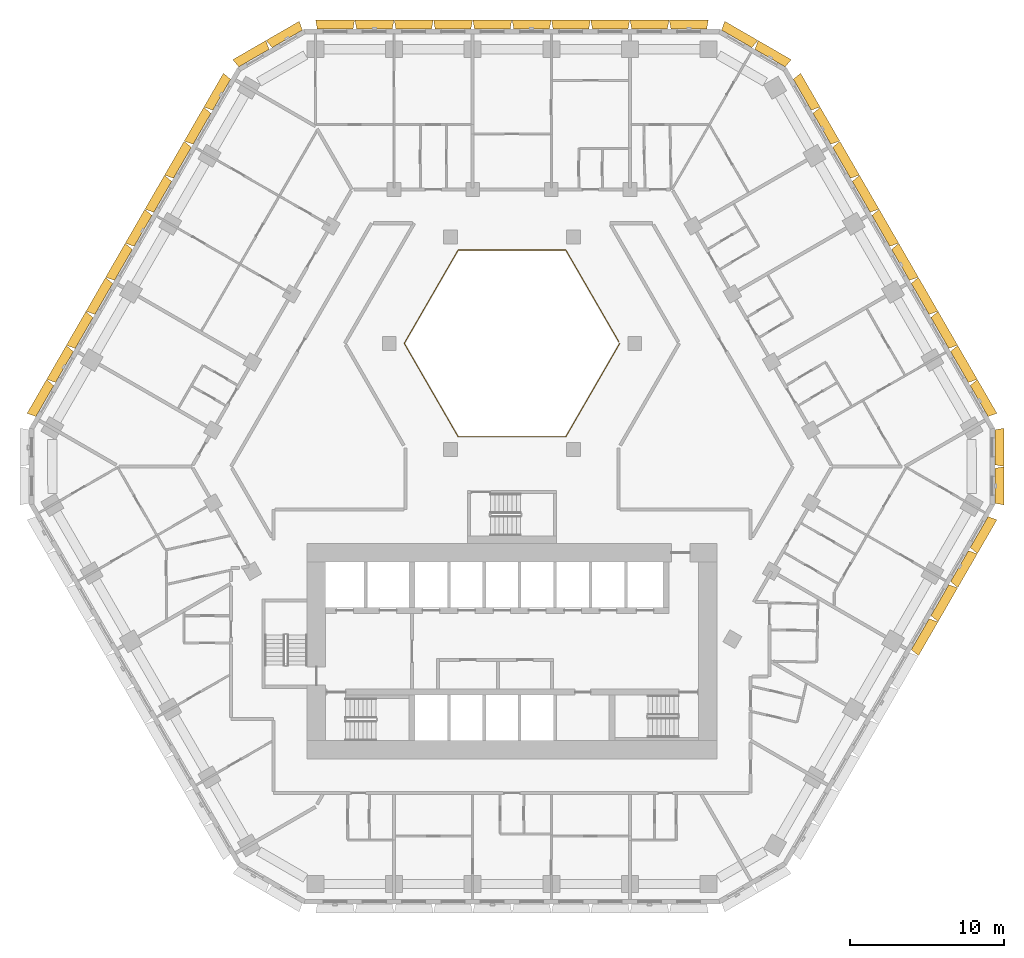
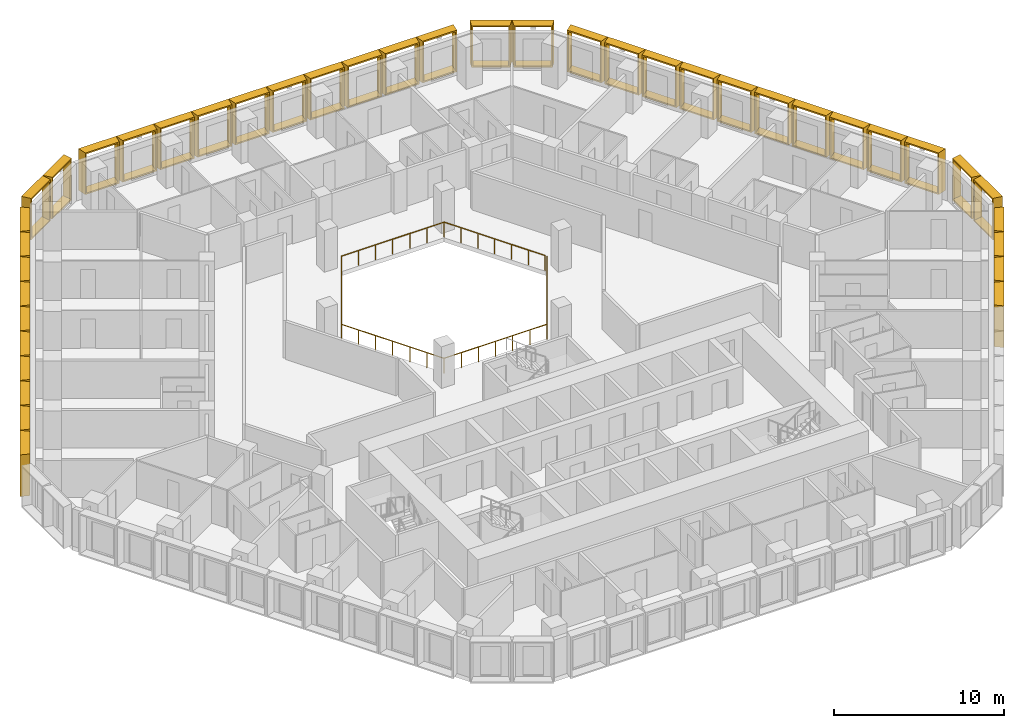
# One storey, part 21 of 21: 40 shading devices, 1 railing.
"""IFC4 building model written with IfcOpenShell, lengths in metres."""

import ifcopenshell
import ifcopenshell.guid

model = None  # the IFC model being written
_history = None  # IfcOwnerHistory: only IFC2X3 demands one
_inside = {}  # id of a spatial element -> (the spatial element, [elements in it])
_under = {}  # id of a project, library or spatial element -> (it, [spatial elements below it])
_declared = {}  # id of a project -> (the project, [libraries it declares])
_typed = {}  # id of a type object -> (the type object, [elements of that type])
_made_of = {}  # id of a material, layer set ... -> (it, [elements and type objects made of it])


def new_model(schema):
    """Start an empty IFC model of exactly this schema.

    Asked for "IFC4X3", IfcOpenShell would pick the latest addendum, in which some entities
    have other attributes; the version numbers below select the first issue.
    IFC2X3 requires an IfcOwnerHistory on every rooted entity: one is made here for all.
    """
    global model, _history
    if schema == "IFC4X3":
        model = ifcopenshell.file(schema_version=(4, 3, 0, 0))
    else:
        model = ifcopenshell.file(schema=schema)
    _inside.clear()
    _under.clear()
    _declared.clear()
    _typed.clear()
    _made_of.clear()
    _history = None
    if model.schema == "IFC2X3":
        org = make("IfcOrganization", Name="unknown")
        user = make(
            "IfcPersonAndOrganization",
            ThePerson=make("IfcPerson", FamilyName="unknown"),
            TheOrganization=org,
        )
        app = make(
            "IfcApplication",
            ApplicationDeveloper=org,
            Version="unknown",
            ApplicationFullName="unknown",
            ApplicationIdentifier="unknown",
        )
        _history = make(
            "IfcOwnerHistory",
            OwningUser=user,
            OwningApplication=app,
            ChangeAction="ADDED",
            CreationDate=0,
        )
    return model


def make(cls, **values):
    """One entity of the class cls with the attributes given. An attribute that is None is left unset."""
    return model.create_entity(
        cls, **{name: value for name, value in values.items() if value is not None}
    )


def entity(cls, *values):
    """Any entity or typed value of the class cls, its attributes in the order of the schema. None: left unset."""
    e = model.create_entity(cls)
    for i, value in enumerate(values):
        if value is not None:
            e[i] = value
    return e


def rooted(cls, **values):
    """An entity with a GlobalId (a new one), such as an element, a storey or a relation."""
    return make(cls, GlobalId=ifcopenshell.guid.new(), OwnerHistory=_history, **values)


def si_unit(unit_type, name, prefix=None):
    """IfcSIUnit, for example si_unit("LENGTHUNIT", "METRE", prefix="MILLI")."""
    return make("IfcSIUnit", UnitType=unit_type, Prefix=prefix, Name=name)


def assignment(units):
    """IfcUnitAssignment: the units of a project."""
    return None if units is None else make("IfcUnitAssignment", Units=units)


def point(xyz):
    """IfcCartesianPoint."""
    return None if xyz is None else make("IfcCartesianPoint", Coordinates=xyz)


def direction(xyz):
    """IfcDirection."""
    return None if xyz is None else make("IfcDirection", DirectionRatios=xyz)


def frame(location, z_axis=None, x_axis=None):
    """IfcAxis2Placement3D, a coordinate frame: its origin and axes. An axis left out is left unset."""
    return make(
        "IfcAxis2Placement3D",
        Location=point(location),
        Axis=direction(z_axis),
        RefDirection=direction(x_axis),
    )


def frame_2d(location, x_axis=None):
    """IfcAxis2Placement2D, a coordinate frame in the plane: its origin and x axis."""
    return make(
        "IfcAxis2Placement2D", Location=point(location), RefDirection=direction(x_axis)
    )


def origin():
    """The frame at (0, 0, 0) with its axes left unset."""
    return frame((0.0, 0.0, 0.0))


def origin_2d():
    """The frame at (0, 0) in the plane with its x axis left unset."""
    return frame_2d((0.0, 0.0))


def place(relative_to, where):
    """IfcLocalPlacement: puts the frame where relative to a parent placement (None: the world)."""
    return make(
        "IfcLocalPlacement", PlacementRelTo=relative_to, RelativePlacement=where
    )


def context(
    kind, dimensions, precision=None, world=None, true_north=None, identifier=None
):
    """IfcGeometricRepresentationContext, for example the 3D "Model" context."""
    return make(
        "IfcGeometricRepresentationContext",
        ContextIdentifier=identifier,
        ContextType=kind,
        CoordinateSpaceDimension=dimensions,
        Precision=precision,
        WorldCoordinateSystem=world,
        TrueNorth=true_north,
    )


def subcontext(parent, identifier, kind, view, scale=None):
    """IfcGeometricRepresentationSubContext, for example "Body" below "Model"."""
    return make(
        "IfcGeometricRepresentationSubContext",
        ContextIdentifier=identifier,
        ContextType=kind,
        ParentContext=parent,
        TargetScale=scale,
        TargetView=view,
    )


def project(units=None, contexts=None):
    """IfcProject with its units and contexts."""
    return rooted(
        "IfcProject",
        Name="project",
        RepresentationContexts=contexts,
        UnitsInContext=assignment(units),
    )


def spatial(cls, under=None, at=None, **own):
    """A site, building, storey or space (cls), placed at a placement, below another one or the project."""
    s = rooted(cls, ObjectPlacement=at, **own)
    if under is not None:
        _under.setdefault(under.id(), (under, []))[1].append(s)
    return s


def profile(cls, at=None, kind="AREA", **sizes):
    """A parametric profile (cls). Its sizes go by their IFC names, for example OverallWidth=200.0."""
    return make(cls, ProfileType=kind, Position=at, **sizes)


def rectangle(**sizes):
    """IfcRectangleProfileDef."""
    return profile("IfcRectangleProfileDef", **sizes)


def extrude(swept, where, along, depth):
    """IfcExtrudedAreaSolid: the profile swept, set in the frame where, extruded along a direction by depth."""
    return make(
        "IfcExtrudedAreaSolid",
        SweptArea=swept,
        Position=where,
        ExtrudedDirection=direction(along),
        Depth=depth,
    )


def shape(context_of_items, identifier, shape_type, items):
    """IfcShapeRepresentation: the items that make up one representation, for example the "Body"."""
    return make(
        "IfcShapeRepresentation",
        ContextOfItems=context_of_items,
        RepresentationIdentifier=identifier,
        RepresentationType=shape_type,
        Items=items,
    )


def source(mapping_origin, context_of_items, identifier, shape_type, items):
    """IfcRepresentationMap: a shape defined once, which mapped items show again and again."""
    return make(
        "IfcRepresentationMap",
        MappingOrigin=mapping_origin,
        MappedRepresentation=shape(context_of_items, identifier, shape_type, items),
    )


def transform(
    local_origin,
    x_axis=None,
    y_axis=None,
    z_axis=None,
    scale=None,
    scale2=None,
    scale3=None,
    uniform=True,
):
    """IfcCartesianTransformationOperator3D, or its non-uniform kind. x_axis, y_axis, z_axis: its Axis1, 2, 3."""
    if uniform:
        return make(
            "IfcCartesianTransformationOperator3D",
            Axis1=direction(x_axis),
            Axis2=direction(y_axis),
            LocalOrigin=point(local_origin),
            Scale=scale,
            Axis3=direction(z_axis),
        )
    return make(
        "IfcCartesianTransformationOperator3DnonUniform",
        Axis1=direction(x_axis),
        Axis2=direction(y_axis),
        LocalOrigin=point(local_origin),
        Scale=scale,
        Axis3=direction(z_axis),
        Scale2=scale2,
        Scale3=scale3,
    )


def mapped(mapping_source, mapping_target):
    """IfcMappedItem: shows the shape of a source again, moved by a transform."""
    return make(
        "IfcMappedItem", MappingSource=mapping_source, MappingTarget=mapping_target
    )


def material(Name=None, Category=None):
    """IfcMaterial."""
    return make("IfcMaterial", Name=Name, Category=Category)


def made_of(thing, what):
    """Note that an element or type object is made of a material, layer set ...; save() writes the relation."""
    if what is not None:
        _made_of.setdefault(what.id(), (what, []))[1].append(thing)
    return thing


def type_object(cls, material=None, **own):
    """A type object (cls), such as IfcWallType, which elements share."""
    return made_of(rooted(cls, **own), material)


def type_shapes(of_type, sources):
    """Give a type object the sources (RepresentationMaps) that its elements show as mapped items."""
    of_type.RepresentationMaps = sources


def element(
    cls,
    number,
    at=None,
    inside=None,
    cuts=None,
    type_object=None,
    material=None,
    context=None,
    identifier="Body",
    shape_type=None,
    held_by="IfcProductDefinitionShape",
    body=None,
    shapes=None,
    **own,
):
    """One element of the class cls, such as IfcWall. Its Tag is "e" and its number.

    at: its placement. inside: the storey or other place that contains it. cuts: it is an
    opening in that element (IfcRelVoidsElement). A single representation is given by context,
    identifier, shape_type and body (its items); several are given by shapes. held_by: the class
    of the entity that holds the representations. save() writes the other relations.
    """
    e = rooted(cls, Tag="e%d" % number, ObjectPlacement=at, **own)
    if body is not None:
        shapes = [shape(context, identifier, shape_type, body)]
    if shapes is not None:
        e.Representation = make(held_by, Representations=shapes)
    if inside is not None:
        _inside.setdefault(inside.id(), (inside, []))[1].append(e)
    if cuts is not None:
        rooted(
            "IfcRelVoidsElement", RelatingBuildingElement=cuts, RelatedOpeningElement=e
        )
    if type_object is not None:
        _typed.setdefault(type_object.id(), (type_object, []))[1].append(e)
    return made_of(e, material)


def aggregate(whole, parts):
    """IfcRelAggregates: a whole, such as a stair, and the parts it consists of."""
    return rooted("IfcRelAggregates", RelatingObject=whole, RelatedObjects=parts)


def save(model, path):
    """Write the relations noted so far, then the file.

    IfcRelAggregates (storeys below a building ...), IfcRelContainedInSpatialStructure (elements
    in a storey), IfcRelDefinesByType, IfcRelAssociatesMaterial and IfcRelDeclares: one each for
    every whole, place, type object, material and project.
    """
    for whole, parts in _under.values():
        aggregate(whole, parts)
    for where, things in _inside.values():
        rooted(
            "IfcRelContainedInSpatialStructure",
            RelatedElements=things,
            RelatingStructure=where,
        )
    for kind, things in _typed.values():
        rooted("IfcRelDefinesByType", RelatedObjects=things, RelatingType=kind)
    for what, things in _made_of.values():
        rooted("IfcRelAssociatesMaterial", RelatedObjects=things, RelatingMaterial=what)
    for by, libraries in _declared.values():
        rooted("IfcRelDeclares", RelatingContext=by, RelatedDefinitions=libraries)
    model.write(path)


model = new_model("IFC4")

# Units and contexts
model_context = context("Model", 3, precision=1e-05, world=origin(), true_north=direction((0.0, 1.0)))
body_context = subcontext(model_context, "Body", "Model", "MODEL_VIEW")
ifc_project = project(units=[si_unit("LENGTHUNIT", "METRE"), si_unit("AREAUNIT", "SQUARE_METRE"), si_unit("VOLUMEUNIT", "CUBIC_METRE"), si_unit("PLANEANGLEUNIT", "RADIAN"), si_unit("MASSUNIT", "GRAM", prefix="KILO")], contexts=[model_context])

# Site, building, storey
site_placement = place(None, origin())
site = spatial("IfcSite", under=ifc_project, at=site_placement, CompositionType="ELEMENT")
building_placement = place(site_placement, origin())
building = spatial("IfcBuilding", under=site, at=building_placement, Name="Beryl Residences", CompositionType="ELEMENT")
storey_placement = place(building_placement, frame((0.0, 0.0, 41.39990234375)))
storey = spatial("IfcBuildingStorey", under=building, at=storey_placement, Name="L12", CompositionType="ELEMENT", Elevation=41.39990234375)

# Railing
ifc_material_1 = material(Name="Stainless steel balustrade with glass infill", Category="steel")
railing_type = type_object("IfcRailingType", Name="EG1 edge guard 1100 mm", PredefinedType="GUARDRAIL", material=ifc_material_1)
railing_placement = place(storey_placement, frame((6.9970703125, 8.0, 0.0)))
element("IfcRailing", 1, at=railing_placement, inside=storey, type_object=railing_type, Name="L12 atrium guard", PredefinedType="GUARDRAIL", context=body_context, shape_type="SweptSolid", body=[
    extrude(rectangle(XDim=0.048095703125, YDim=0.048095703125, at=origin_2d()), frame((0.0, 0.0, 1.076171875), z_axis=(-0.499921796684, -0.866070549782, 0.0), x_axis=(0.866070549782, -0.499921796684, 0.0)), (0.0, 0.0, 1.0), 6.9970703125),
    extrude(rectangle(XDim=0.048095703125, YDim=0.048095703125, at=origin_2d()), frame((-3.498046875, -6.06005859375, 1.076171875), z_axis=(-1.0, 0.0, 0.0), x_axis=(0.0, -1.0, 0.0)), (0.0, 0.0, 1.0), 6.998046875),
    extrude(rectangle(XDim=0.048095703125, YDim=0.048095703125, at=origin_2d()), frame((-10.49609375, -6.06005859375, 1.076171875), z_axis=(-0.499921796684, 0.866070549782, 0.0), x_axis=(-0.866070549782, -0.499921796684, 0.0)), (0.0, 0.0, 1.0), 6.9970703125),
    extrude(rectangle(XDim=0.048095703125, YDim=0.048095703125, at=origin_2d()), frame((-13.994140625, 0.0, 1.076171875), z_axis=(0.499921796684, 0.866070549782, 0.0), x_axis=(-0.866070549782, 0.499921796684, 0.0)), (0.0, 0.0, 1.0), 6.9970703125),
    extrude(rectangle(XDim=0.048095703125, YDim=0.048095703125, at=origin_2d()), frame((-10.49609375, 6.06005859375, 1.076171875), z_axis=(1.0, 0.0, 0.0), x_axis=(0.0, 1.0, 0.0)), (0.0, 0.0, 1.0), 6.998046875),
    extrude(rectangle(XDim=0.048095703125, YDim=0.048095703125, at=origin_2d()), frame((-3.498046875, 6.06005859375, 1.076171875), z_axis=(0.499919131929, -0.866072087953, 0.0), x_axis=(0.866072087953, 0.499919131929, 0.0)), (0.0, 0.0, 1.0), 6.877197265625),
    extrude(rectangle(XDim=0.0419921875, YDim=0.0419921875, at=origin_2d()), origin(), (0.0, 0.0, 1.0), 1.052001953125),
    extrude(rectangle(XDim=0.0419921875, YDim=0.0419921875, at=origin_2d()), frame((-0.5830078125, -1.010009765625, 0.0)), (0.0, 0.0, 1.0), 1.052001953125),
    extrude(rectangle(XDim=0.0419921875, YDim=0.0419921875, at=origin_2d()), frame((-1.166015625, -2.02001953125, 0.0)), (0.0, 0.0, 1.0), 1.052001953125),
    extrude(rectangle(XDim=0.0419921875, YDim=0.0419921875, at=origin_2d()), frame((-1.7490234375, -3.030029296875, 0.0)), (0.0, 0.0, 1.0), 1.052001953125),
    extrude(rectangle(XDim=0.0419921875, YDim=0.0419921875, at=origin_2d()), frame((-2.33203125, -4.0400390625, 0.0)), (0.0, 0.0, 1.0), 1.052001953125),
    extrude(rectangle(XDim=0.0419921875, YDim=0.0419921875, at=origin_2d()), frame((-2.9150390625, -5.050048828125, 0.0)), (0.0, 0.0, 1.0), 1.052001953125),
    extrude(rectangle(XDim=0.0419921875, YDim=0.0419921875, at=origin_2d()), frame((-3.498046875, -6.06005859375, 0.0)), (0.0, 0.0, 1.0), 1.052001953125),
    extrude(rectangle(XDim=0.0419921875, YDim=0.0419921875, at=origin_2d()), frame((-4.664306640625, -6.06005859375, 0.0)), (0.0, 0.0, 1.0), 1.052001953125),
    extrude(rectangle(XDim=0.0419921875, YDim=0.0419921875, at=origin_2d()), frame((-5.830810546875, -6.06005859375, 0.0)), (0.0, 0.0, 1.0), 1.052001953125),
    extrude(rectangle(XDim=0.0419921875, YDim=0.0419921875, at=origin_2d()), frame((-6.9970703125, -6.06005859375, 0.0)), (0.0, 0.0, 1.0), 1.052001953125),
    extrude(rectangle(XDim=0.0419921875, YDim=0.0419921875, at=origin_2d()), frame((-8.163330078125, -6.06005859375, 0.0)), (0.0, 0.0, 1.0), 1.052001953125),
    extrude(rectangle(XDim=0.0419921875, YDim=0.0419921875, at=origin_2d()), frame((-9.329833984375, -6.06005859375, 0.0)), (0.0, 0.0, 1.0), 1.052001953125),
    extrude(rectangle(XDim=0.0419921875, YDim=0.0419921875, at=origin_2d()), frame((-10.49609375, -6.06005859375, 0.0)), (0.0, 0.0, 1.0), 1.052001953125),
    extrude(rectangle(XDim=0.0419921875, YDim=0.0419921875, at=origin_2d()), frame((-11.0791015625, -5.050048828125, 0.0)), (0.0, 0.0, 1.0), 1.052001953125),
    extrude(rectangle(XDim=0.0419921875, YDim=0.0419921875, at=origin_2d()), frame((-11.662109375, -4.0400390625, 0.0)), (0.0, 0.0, 1.0), 1.052001953125),
    extrude(rectangle(XDim=0.0419921875, YDim=0.0419921875, at=origin_2d()), frame((-12.2451171875, -3.030029296875, 0.0)), (0.0, 0.0, 1.0), 1.052001953125),
    extrude(rectangle(XDim=0.0419921875, YDim=0.0419921875, at=origin_2d()), frame((-12.828125, -2.02001953125, 0.0)), (0.0, 0.0, 1.0), 1.052001953125),
    extrude(rectangle(XDim=0.0419921875, YDim=0.0419921875, at=origin_2d()), frame((-13.4111328125, -1.010009765625, 0.0)), (0.0, 0.0, 1.0), 1.052001953125),
    extrude(rectangle(XDim=0.0419921875, YDim=0.0419921875, at=origin_2d()), frame((-13.994140625, 0.0, 0.0)), (0.0, 0.0, 1.0), 1.052001953125),
    extrude(rectangle(XDim=0.0419921875, YDim=0.0419921875, at=origin_2d()), frame((-13.4111328125, 1.010009765625, 0.0)), (0.0, 0.0, 1.0), 1.052001953125),
    extrude(rectangle(XDim=0.0419921875, YDim=0.0419921875, at=origin_2d()), frame((-12.828125, 2.02001953125, 0.0)), (0.0, 0.0, 1.0), 1.052001953125),
    extrude(rectangle(XDim=0.0419921875, YDim=0.0419921875, at=origin_2d()), frame((-12.2451171875, 3.030029296875, 0.0)), (0.0, 0.0, 1.0), 1.052001953125),
    extrude(rectangle(XDim=0.0419921875, YDim=0.0419921875, at=origin_2d()), frame((-11.662109375, 4.0400390625, 0.0)), (0.0, 0.0, 1.0), 1.052001953125),
    extrude(rectangle(XDim=0.0419921875, YDim=0.0419921875, at=origin_2d()), frame((-11.0791015625, 5.050048828125, 0.0)), (0.0, 0.0, 1.0), 1.052001953125),
    extrude(rectangle(XDim=0.0419921875, YDim=0.0419921875, at=origin_2d()), frame((-10.49609375, 6.06005859375, 0.0)), (0.0, 0.0, 1.0), 1.052001953125),
    extrude(rectangle(XDim=0.0419921875, YDim=0.0419921875, at=origin_2d()), frame((-9.329833984375, 6.06005859375, 0.0)), (0.0, 0.0, 1.0), 1.052001953125),
    extrude(rectangle(XDim=0.0419921875, YDim=0.0419921875, at=origin_2d()), frame((-8.163330078125, 6.06005859375, 0.0)), (0.0, 0.0, 1.0), 1.052001953125),
    extrude(rectangle(XDim=0.0419921875, YDim=0.0419921875, at=origin_2d()), frame((-6.9970703125, 6.06005859375, 0.0)), (0.0, 0.0, 1.0), 1.052001953125),
    extrude(rectangle(XDim=0.0419921875, YDim=0.0419921875, at=origin_2d()), frame((-5.830810546875, 6.06005859375, 0.0)), (0.0, 0.0, 1.0), 1.052001953125),
    extrude(rectangle(XDim=0.0419921875, YDim=0.0419921875, at=origin_2d()), frame((-4.664306640625, 6.06005859375, 0.0)), (0.0, 0.0, 1.0), 1.052001953125),
    extrude(rectangle(XDim=0.0419921875, YDim=0.0419921875, at=origin_2d()), frame((-3.498046875, 6.06005859375, 0.0)), (0.0, 0.0, 1.0), 1.052001953125),
    extrude(rectangle(XDim=0.0419921875, YDim=0.0419921875, at=origin_2d()), frame((-2.925048828125, 5.0673828125, 0.0)), (0.0, 0.0, 1.0), 1.052001953125),
    extrude(rectangle(XDim=0.0419921875, YDim=0.0419921875, at=origin_2d()), frame((-2.35205078125, 4.07470703125, 0.0)), (0.0, 0.0, 1.0), 1.052001953125),
    extrude(rectangle(XDim=0.0419921875, YDim=0.0419921875, at=origin_2d()), frame((-1.779052734375, 3.08203125, 0.0)), (0.0, 0.0, 1.0), 1.052001953125),
    extrude(rectangle(XDim=0.0419921875, YDim=0.0419921875, at=origin_2d()), frame((-1.2060546875, 2.08935546875, 0.0)), (0.0, 0.0, 1.0), 1.052001953125),
    extrude(rectangle(XDim=0.0419921875, YDim=0.0419921875, at=origin_2d()), frame((-0.633056640625, 1.0966796875, 0.0)), (0.0, 0.0, 1.0), 1.052001953125),
    extrude(rectangle(XDim=0.0419921875, YDim=0.0419921875, at=origin_2d()), frame((-0.06005859375, 0.10400390625, 0.0)), (0.0, 0.0, 1.0), 1.052001953125),
])

# Shading devices
ifc_material_2 = material(Name="Aluminium pale anodised", Category="aluminium")
shading_device_type_1 = type_object("IfcShadingDeviceType", Name="FR250-60A OUTER SKIN frame 600 mm deep, splay 10/10 deg, 2500 x 3000 mm cell", PredefinedType="USERDEFINED", material=ifc_material_2)
cartesian_point_1 = entity("IfcCartesianPoint", [-1.134033203125, 0.0])
cartesian_point_2 = entity("IfcCartesianPoint", [-1.052734375, 0.10009765625])
cartesian_point_3 = entity("IfcCartesianPoint", [-1.23974609375, 0.0])
cartesian_point_4 = entity("IfcCartesianPoint", [-1.158447265625, 0.10009765625])
shared_shape_1 = source(origin(), body_context, "Body", "SweptSolid", [
    entity("IfcExtrudedAreaSolidTapered", entity("IfcArbitraryProfileDefWithVoids", "AREA", None, entity("IfcPolyline", [cartesian_point_1, entity("IfcCartesianPoint", [1.134033203125, 0.0]), entity("IfcCartesianPoint", [1.134033203125, 3.0]), entity("IfcCartesianPoint", [-1.134033203125, 3.0]), cartesian_point_1]), [entity("IfcPolyline", [cartesian_point_2, entity("IfcCartesianPoint", [1.052734375, 0.10009765625]), entity("IfcCartesianPoint", [1.052734375, 2.89990234375]), entity("IfcCartesianPoint", [-1.052734375, 2.89990234375]), cartesian_point_2])]), entity("IfcAxis2Placement3D", entity("IfcCartesianPoint", [0.0, 0.0, 0.0]), entity("IfcDirection", [0.0, 1.0, 0.0]), entity("IfcDirection", [-1.0, 0.0, 0.0])), entity("IfcDirection", [0.0, 0.0, 1.0]), 0.60009765625, entity("IfcArbitraryProfileDefWithVoids", "AREA", None, entity("IfcPolyline", [cartesian_point_3, entity("IfcCartesianPoint", [1.23974609375, 0.0]), entity("IfcCartesianPoint", [1.23974609375, 3.0]), entity("IfcCartesianPoint", [-1.23974609375, 3.0]), cartesian_point_3]), [entity("IfcPolyline", [cartesian_point_4, entity("IfcCartesianPoint", [1.158447265625, 0.10009765625]), entity("IfcCartesianPoint", [1.158447265625, 2.89990234375]), entity("IfcCartesianPoint", [-1.158447265625, 2.89990234375]), cartesian_point_4])])),
])
type_shapes(shading_device_type_1, [shared_shape_1])
for number, where, z_axis, x_axis, name in (
    (2, (-14.593017578125, 27.77490234375, 0.0), (0.0, 0.0, 1.0), (0.866025403784, 0.5, 0.0), "FR250-60A frame L12 N-NW 1"),
    (3, (-16.758056640625, 26.52490234375, 0.0), (0.0, 0.0, 1.0), (0.866025403784, 0.5, 0.0), "FR250-60A frame L12 N-NW 2"),
    (4, (31.35009765625, -1.25, 0.0), (0.0, 0.0, 1.0), (0.0, -1.0, 0.0), "FR250-60A frame L12 SE-NE 1"),
    (5, (31.35009765625, 1.25, 0.0), (0.0, 0.0, 1.0), (0.0, -1.0, 0.0), "FR250-60A frame L12 SE-NE 2"),
    (6, (16.758056640625, 26.52490234375, 0.0), (0.0, 0.0, 1.0), (0.866025403784, -0.5, 0.0), "FR250-60A frame L12 NE-N 1"),
    (7, (14.593017578125, 27.77490234375, 0.0), (0.0, 0.0, 1.0), (0.866025403784, -0.5, 0.0), "FR250-60A frame L12 NE-N 2"),
):
    element("IfcShadingDevice", number, at=place(storey_placement, frame(where, z_axis=z_axis, x_axis=x_axis)), inside=storey, type_object=shading_device_type_1, Name=name, ObjectType="OUTER SKIN", PredefinedType="USERDEFINED", context=body_context, shape_type="MappedRepresentation", body=[
        mapped(shared_shape_1, transform((0.0, 0.0, 0.0))),
    ])
ifc_material_3 = material(Name="Aluminium pale anodised", Category="aluminium")
shading_device_type_2 = type_object("IfcShadingDeviceType", Name="FR255-60A OUTER SKIN frame 600 mm deep, splay 10/10 deg, 2550 x 3000 mm cell", PredefinedType="USERDEFINED", material=ifc_material_3)
cartesian_point_5 = entity("IfcCartesianPoint", [-1.158935546875, 0.0])
cartesian_point_6 = entity("IfcCartesianPoint", [-1.077880859375, 0.10009765625])
cartesian_point_7 = entity("IfcCartesianPoint", [-1.264892578125, 0.0])
cartesian_point_8 = entity("IfcCartesianPoint", [-1.18359375, 0.10009765625])
shared_shape_2 = source(origin(), body_context, "Body", "SweptSolid", [
    entity("IfcExtrudedAreaSolidTapered", entity("IfcArbitraryProfileDefWithVoids", "AREA", None, entity("IfcPolyline", [cartesian_point_5, entity("IfcCartesianPoint", [1.158935546875, 0.0]), entity("IfcCartesianPoint", [1.158935546875, 3.0]), entity("IfcCartesianPoint", [-1.158935546875, 3.0]), cartesian_point_5]), [entity("IfcPolyline", [cartesian_point_6, entity("IfcCartesianPoint", [1.077880859375, 0.10009765625]), entity("IfcCartesianPoint", [1.077880859375, 2.89990234375]), entity("IfcCartesianPoint", [-1.077880859375, 2.89990234375]), cartesian_point_6])]), entity("IfcAxis2Placement3D", entity("IfcCartesianPoint", [0.0, 0.0, 0.0]), entity("IfcDirection", [0.0, 1.0, 0.0]), entity("IfcDirection", [-1.0, 0.0, 0.0])), entity("IfcDirection", [0.0, 0.0, 1.0]), 0.60009765625, entity("IfcArbitraryProfileDefWithVoids", "AREA", None, entity("IfcPolyline", [cartesian_point_7, entity("IfcCartesianPoint", [1.264892578125, 0.0]), entity("IfcCartesianPoint", [1.264892578125, 3.0]), entity("IfcCartesianPoint", [-1.264892578125, 3.0]), cartesian_point_7]), [entity("IfcPolyline", [cartesian_point_8, entity("IfcCartesianPoint", [1.18359375, 0.10009765625]), entity("IfcCartesianPoint", [1.18359375, 2.89990234375]), entity("IfcCartesianPoint", [-1.18359375, 2.89990234375]), cartesian_point_8])])),
])
type_shapes(shading_device_type_2, [shared_shape_2])
for number, where, z_axis, x_axis, name in (
    (8, (11.48291015625, 28.39990234375, 0.0), (0.0, 0.0, 1.0), (1.0, 0.0, 0.0), "FR255-60A frame L12 N 1"),
    (9, (8.930908203125, 28.39990234375, 0.0), (0.0, 0.0, 1.0), (1.0, 0.0, 0.0), "FR255-60A frame L12 N 2"),
    (10, (6.37890625, 28.39990234375, 0.0), (0.0, 0.0, 1.0), (1.0, 0.0, 0.0), "FR255-60A frame L12 N 3"),
    (11, (3.826904296875, 28.39990234375, 0.0), (0.0, 0.0, 1.0), (1.0, 0.0, 0.0), "FR255-60A frame L12 N 4"),
    (12, (1.27490234375, 28.39990234375, 0.0), (0.0, 0.0, 1.0), (1.0, 0.0, 0.0), "FR255-60A frame L12 N 5"),
    (13, (-1.277099609375, 28.39990234375, 0.0), (0.0, 0.0, 1.0), (1.0, 0.0, 0.0), "FR255-60A frame L12 N 6"),
    (14, (-3.8291015625, 28.39990234375, 0.0), (0.0, 0.0, 1.0), (1.0, 0.0, 0.0), "FR255-60A frame L12 N 7"),
    (15, (-6.381103515625, 28.39990234375, 0.0), (0.0, 0.0, 1.0), (1.0, 0.0, 0.0), "FR255-60A frame L12 N 8"),
    (16, (-8.93310546875, 28.39990234375, 0.0), (0.0, 0.0, 1.0), (1.0, 0.0, 0.0), "FR255-60A frame L12 N 9"),
    (17, (-11.485107421875, 28.39990234375, 0.0), (0.0, 0.0, 1.0), (1.0, 0.0, 0.0), "FR255-60A frame L12 N 10"),
    (18, (-18.85400390625, 24.14501953125, 0.0), (0.0, 0.0, 1.0), (0.5, 0.866025403784, 0.0), "FR255-60A frame L12 NW 1"),
    (19, (-20.1298828125, 21.93505859375, 0.0), (0.0, 0.0, 1.0), (0.5, 0.866025403784, 0.0), "FR255-60A frame L12 NW 2"),
    (20, (-21.406005859375, 19.72412109375, 0.0), (0.0, 0.0, 1.0), (0.5, 0.866025403784, 0.0), "FR255-60A frame L12 NW 3"),
    (21, (-22.681884765625, 17.513916015625, 0.0), (0.0, 0.0, 1.0), (0.5, 0.866025403784, 0.0), "FR255-60A frame L12 NW 4"),
    (22, (-23.9580078125, 15.303955078125, 0.0), (0.0, 0.0, 1.0), (0.5, 0.866025403784, 0.0), "FR255-60A frame L12 NW 5"),
    (23, (-25.23291015625, 13.093994140625, 0.0), (0.0, 0.0, 1.0), (0.5, 0.866025403784, 0.0), "FR255-60A frame L12 NW 6"),
    (24, (-26.509033203125, 10.884033203125, 0.0), (0.0, 0.0, 1.0), (0.5, 0.866025403784, 0.0), "FR255-60A frame L12 NW 7"),
    (25, (-27.784912109375, 8.674072265625, 0.0), (0.0, 0.0, 1.0), (0.5, 0.866025403784, 0.0), "FR255-60A frame L12 NW 8"),
    (26, (-29.06103515625, 6.464111328125, 0.0), (0.0, 0.0, 1.0), (0.5, 0.866025403784, 0.0), "FR255-60A frame L12 NW 9"),
    (27, (-30.3369140625, 4.25390625, 0.0), (0.0, 0.0, 1.0), (0.5, 0.866025403784, 0.0), "FR255-60A frame L12 NW 10"),
    (28, (26.509033203125, -10.884033203125, 0.0), (0.0, 0.0, 1.0), (-0.5, -0.866025403784, 0.0), "FR255-60A frame L12 SE 7"),
    (29, (27.784912109375, -8.674072265625, 0.0), (0.0, 0.0, 1.0), (-0.5, -0.866025403784, 0.0), "FR255-60A frame L12 SE 8"),
    (30, (29.06103515625, -6.464111328125, 0.0), (0.0, 0.0, 1.0), (-0.5, -0.866025403784, 0.0), "FR255-60A frame L12 SE 9"),
    (31, (30.3369140625, -4.25390625, 0.0), (0.0, 0.0, 1.0), (-0.5, -0.866025403784, 0.0), "FR255-60A frame L12 SE 10"),
    (32, (30.3359375, 4.2548828125, 0.0), (0.0, 0.0, 1.0), (0.5, -0.866025403784, 0.0), "FR255-60A frame L12 NE 1"),
    (33, (29.06005859375, 6.465087890625, 0.0), (0.0, 0.0, 1.0), (0.5, -0.866025403784, 0.0), "FR255-60A frame L12 NE 2"),
    (34, (27.783935546875, 8.676025390625, 0.0), (0.0, 0.0, 1.0), (0.5, -0.866025403784, 0.0), "FR255-60A frame L12 NE 3"),
    (35, (26.508056640625, 10.885986328125, 0.0), (0.0, 0.0, 1.0), (0.5, -0.866025403784, 0.0), "FR255-60A frame L12 NE 4"),
    (36, (25.23193359375, 13.095947265625, 0.0), (0.0, 0.0, 1.0), (0.5, -0.866025403784, 0.0), "FR255-60A frame L12 NE 5"),
    (37, (23.95703125, 15.305908203125, 0.0), (0.0, 0.0, 1.0), (0.5, -0.866025403784, 0.0), "FR255-60A frame L12 NE 6"),
    (38, (22.680908203125, 17.51611328125, 0.0), (0.0, 0.0, 1.0), (0.5, -0.866025403784, 0.0), "FR255-60A frame L12 NE 7"),
    (39, (21.405029296875, 19.72607421875, 0.0), (0.0, 0.0, 1.0), (0.5, -0.866025403784, 0.0), "FR255-60A frame L12 NE 8"),
    (40, (20.12890625, 21.93603515625, 0.0), (0.0, 0.0, 1.0), (0.5, -0.866025403784, 0.0), "FR255-60A frame L12 NE 9"),
    (41, (18.85302734375, 24.14599609375, 0.0), (0.0, 0.0, 1.0), (0.5, -0.866025403784, 0.0), "FR255-60A frame L12 NE 10"),
):
    element("IfcShadingDevice", number, at=place(storey_placement, frame(where, z_axis=z_axis, x_axis=x_axis)), inside=storey, type_object=shading_device_type_2, Name=name, ObjectType="OUTER SKIN", PredefinedType="USERDEFINED", context=body_context, shape_type="MappedRepresentation", body=[
        mapped(shared_shape_2, transform((0.0, 0.0, 0.0))),
    ])

save(model, "model.ifc")
